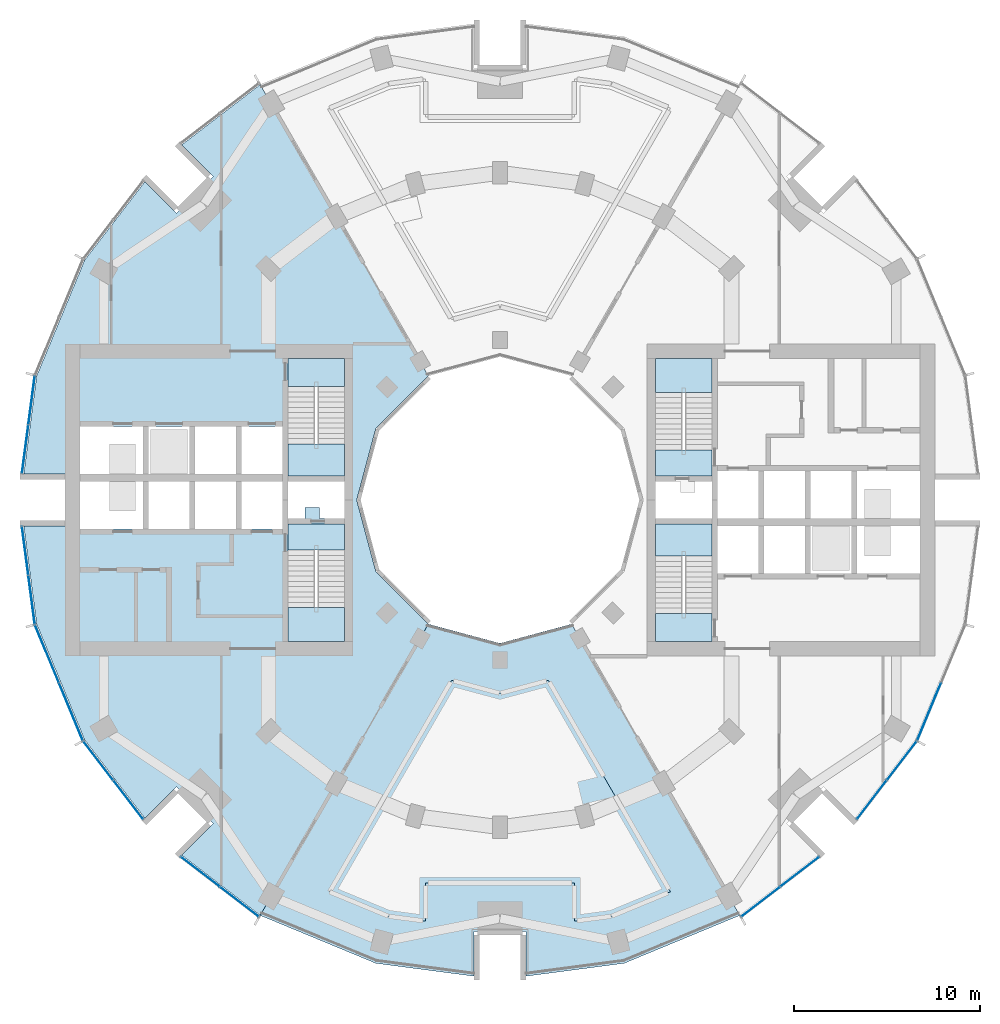
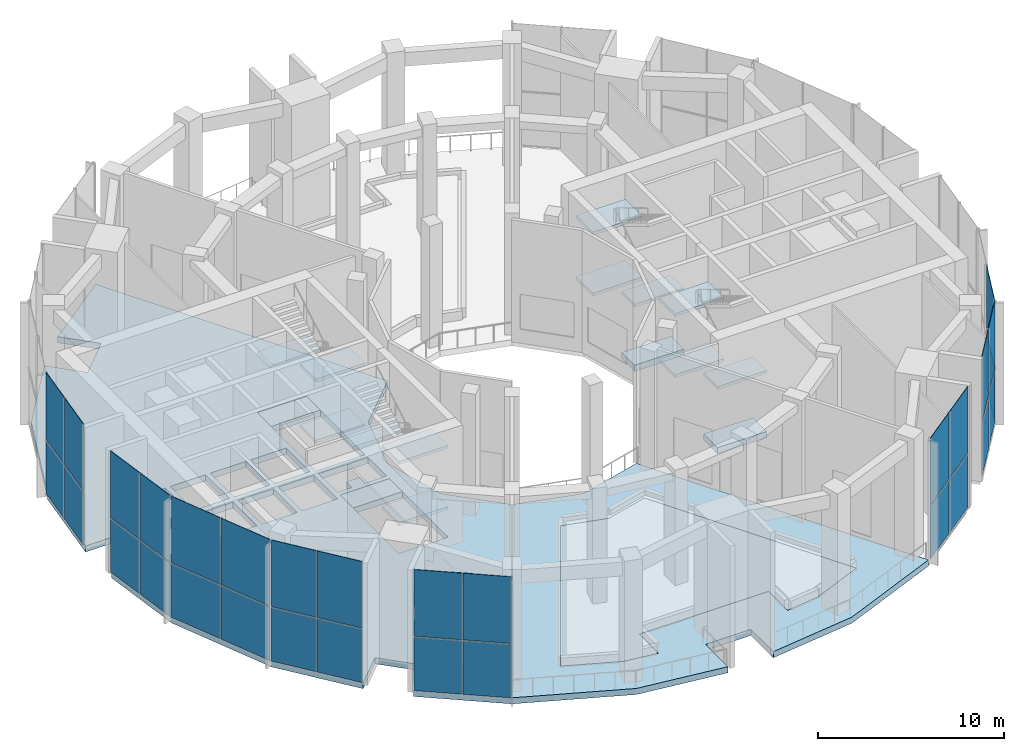
# One storey, part 9 of 18: 30 plates, 19 slabs, 12 elements without a shape of their own.
"""IFC4 building model written with IfcOpenShell, lengths in metres."""

import ifcopenshell
import ifcopenshell.guid

model = None  # the IFC model being written
_history = None  # IfcOwnerHistory: only IFC2X3 demands one
_inside = {}  # id of a spatial element -> (the spatial element, [elements in it])
_under = {}  # id of a project, library or spatial element -> (it, [spatial elements below it])
_declared = {}  # id of a project -> (the project, [libraries it declares])
_typed = {}  # id of a type object -> (the type object, [elements of that type])
_made_of = {}  # id of a material, layer set ... -> (it, [elements and type objects made of it])


def new_model(schema):
    """Start an empty IFC model of exactly this schema.

    Asked for "IFC4X3", IfcOpenShell would pick the latest addendum, in which some entities
    have other attributes; the version numbers below select the first issue.
    IFC2X3 requires an IfcOwnerHistory on every rooted entity: one is made here for all.
    """
    global model, _history
    if schema == "IFC4X3":
        model = ifcopenshell.file(schema_version=(4, 3, 0, 0))
    else:
        model = ifcopenshell.file(schema=schema)
    _inside.clear()
    _under.clear()
    _declared.clear()
    _typed.clear()
    _made_of.clear()
    _history = None
    if model.schema == "IFC2X3":
        org = make("IfcOrganization", Name="unknown")
        user = make(
            "IfcPersonAndOrganization",
            ThePerson=make("IfcPerson", FamilyName="unknown"),
            TheOrganization=org,
        )
        app = make(
            "IfcApplication",
            ApplicationDeveloper=org,
            Version="unknown",
            ApplicationFullName="unknown",
            ApplicationIdentifier="unknown",
        )
        _history = make(
            "IfcOwnerHistory",
            OwningUser=user,
            OwningApplication=app,
            ChangeAction="ADDED",
            CreationDate=0,
        )
    return model


def make(cls, **values):
    """One entity of the class cls with the attributes given. An attribute that is None is left unset."""
    return model.create_entity(
        cls, **{name: value for name, value in values.items() if value is not None}
    )


def rooted(cls, **values):
    """An entity with a GlobalId (a new one), such as an element, a storey or a relation."""
    return make(cls, GlobalId=ifcopenshell.guid.new(), OwnerHistory=_history, **values)


def si_unit(unit_type, name, prefix=None):
    """IfcSIUnit, for example si_unit("LENGTHUNIT", "METRE", prefix="MILLI")."""
    return make("IfcSIUnit", UnitType=unit_type, Prefix=prefix, Name=name)


def assignment(units):
    """IfcUnitAssignment: the units of a project."""
    return None if units is None else make("IfcUnitAssignment", Units=units)


def point(xyz):
    """IfcCartesianPoint."""
    return None if xyz is None else make("IfcCartesianPoint", Coordinates=xyz)


def direction(xyz):
    """IfcDirection."""
    return None if xyz is None else make("IfcDirection", DirectionRatios=xyz)


def frame(location, z_axis=None, x_axis=None):
    """IfcAxis2Placement3D, a coordinate frame: its origin and axes. An axis left out is left unset."""
    return make(
        "IfcAxis2Placement3D",
        Location=point(location),
        Axis=direction(z_axis),
        RefDirection=direction(x_axis),
    )


def frame_2d(location, x_axis=None):
    """IfcAxis2Placement2D, a coordinate frame in the plane: its origin and x axis."""
    return make(
        "IfcAxis2Placement2D", Location=point(location), RefDirection=direction(x_axis)
    )


def origin():
    """The frame at (0, 0, 0) with its axes left unset."""
    return frame((0.0, 0.0, 0.0))


def origin_2d():
    """The frame at (0, 0) in the plane with its x axis left unset."""
    return frame_2d((0.0, 0.0))


def place(relative_to, where):
    """IfcLocalPlacement: puts the frame where relative to a parent placement (None: the world)."""
    return make(
        "IfcLocalPlacement", PlacementRelTo=relative_to, RelativePlacement=where
    )


def context(
    kind, dimensions, precision=None, world=None, true_north=None, identifier=None
):
    """IfcGeometricRepresentationContext, for example the 3D "Model" context."""
    return make(
        "IfcGeometricRepresentationContext",
        ContextIdentifier=identifier,
        ContextType=kind,
        CoordinateSpaceDimension=dimensions,
        Precision=precision,
        WorldCoordinateSystem=world,
        TrueNorth=true_north,
    )


def subcontext(parent, identifier, kind, view, scale=None):
    """IfcGeometricRepresentationSubContext, for example "Body" below "Model"."""
    return make(
        "IfcGeometricRepresentationSubContext",
        ContextIdentifier=identifier,
        ContextType=kind,
        ParentContext=parent,
        TargetScale=scale,
        TargetView=view,
    )


def project(units=None, contexts=None):
    """IfcProject with its units and contexts."""
    return rooted(
        "IfcProject",
        Name="project",
        RepresentationContexts=contexts,
        UnitsInContext=assignment(units),
    )


def spatial(cls, under=None, at=None, **own):
    """A site, building, storey or space (cls), placed at a placement, below another one or the project."""
    s = rooted(cls, ObjectPlacement=at, **own)
    if under is not None:
        _under.setdefault(under.id(), (under, []))[1].append(s)
    return s


def polyline(points):
    """IfcPolyline through the points."""
    return make("IfcPolyline", Points=[point(p) for p in points])


def profile(cls, at=None, kind="AREA", **sizes):
    """A parametric profile (cls). Its sizes go by their IFC names, for example OverallWidth=200.0."""
    return make(cls, ProfileType=kind, Position=at, **sizes)


def rectangle(**sizes):
    """IfcRectangleProfileDef."""
    return profile("IfcRectangleProfileDef", **sizes)


def outline(outer, holes=None, kind="AREA"):
    """IfcArbitraryClosedProfileDef: a profile drawn as a closed curve; with holes, ...WithVoids."""
    if holes is None:
        return make("IfcArbitraryClosedProfileDef", ProfileType=kind, OuterCurve=outer)
    return make(
        "IfcArbitraryProfileDefWithVoids",
        ProfileType=kind,
        OuterCurve=outer,
        InnerCurves=holes,
    )


def extrude(swept, where, along, depth):
    """IfcExtrudedAreaSolid: the profile swept, set in the frame where, extruded along a direction by depth."""
    return make(
        "IfcExtrudedAreaSolid",
        SweptArea=swept,
        Position=where,
        ExtrudedDirection=direction(along),
        Depth=depth,
    )


def shape(context_of_items, identifier, shape_type, items):
    """IfcShapeRepresentation: the items that make up one representation, for example the "Body"."""
    return make(
        "IfcShapeRepresentation",
        ContextOfItems=context_of_items,
        RepresentationIdentifier=identifier,
        RepresentationType=shape_type,
        Items=items,
    )


def material(Name=None, Category=None):
    """IfcMaterial."""
    return make("IfcMaterial", Name=Name, Category=Category)


def layer(
    of_material, thickness, ventilated=None, Name=None, Category=None, Priority=None
):
    """IfcMaterialLayer: one layer of a wall or slab, of a material (None: an air gap)."""
    return make(
        "IfcMaterialLayer",
        Material=of_material,
        LayerThickness=thickness,
        IsVentilated=ventilated,
        Name=Name,
        Category=Category,
        Priority=Priority,
    )


def layer_set(layers, Name=None):
    """IfcMaterialLayerSet."""
    return make("IfcMaterialLayerSet", MaterialLayers=layers, LayerSetName=Name)


def made_of(thing, what):
    """Note that an element or type object is made of a material, layer set ...; save() writes the relation."""
    if what is not None:
        _made_of.setdefault(what.id(), (what, []))[1].append(thing)
    return thing


def type_object(cls, material=None, **own):
    """A type object (cls), such as IfcWallType, which elements share."""
    return made_of(rooted(cls, **own), material)


def element(
    cls,
    number,
    at=None,
    inside=None,
    cuts=None,
    type_object=None,
    material=None,
    context=None,
    identifier="Body",
    shape_type=None,
    held_by="IfcProductDefinitionShape",
    body=None,
    shapes=None,
    **own,
):
    """One element of the class cls, such as IfcWall. Its Tag is "e" and its number.

    at: its placement. inside: the storey or other place that contains it. cuts: it is an
    opening in that element (IfcRelVoidsElement). A single representation is given by context,
    identifier, shape_type and body (its items); several are given by shapes. held_by: the class
    of the entity that holds the representations. save() writes the other relations.
    """
    e = rooted(cls, Tag="e%d" % number, ObjectPlacement=at, **own)
    if body is not None:
        shapes = [shape(context, identifier, shape_type, body)]
    if shapes is not None:
        e.Representation = make(held_by, Representations=shapes)
    if inside is not None:
        _inside.setdefault(inside.id(), (inside, []))[1].append(e)
    if cuts is not None:
        rooted(
            "IfcRelVoidsElement", RelatingBuildingElement=cuts, RelatedOpeningElement=e
        )
    if type_object is not None:
        _typed.setdefault(type_object.id(), (type_object, []))[1].append(e)
    return made_of(e, material)


def aggregate(whole, parts):
    """IfcRelAggregates: a whole, such as a stair, and the parts it consists of."""
    return rooted("IfcRelAggregates", RelatingObject=whole, RelatedObjects=parts)


def save(model, path):
    """Write the relations noted so far, then the file.

    IfcRelAggregates (storeys below a building ...), IfcRelContainedInSpatialStructure (elements
    in a storey), IfcRelDefinesByType, IfcRelAssociatesMaterial and IfcRelDeclares: one each for
    every whole, place, type object, material and project.
    """
    for whole, parts in _under.values():
        aggregate(whole, parts)
    for where, things in _inside.values():
        rooted(
            "IfcRelContainedInSpatialStructure",
            RelatedElements=things,
            RelatingStructure=where,
        )
    for kind, things in _typed.values():
        rooted("IfcRelDefinesByType", RelatedObjects=things, RelatingType=kind)
    for what, things in _made_of.values():
        rooted("IfcRelAssociatesMaterial", RelatedObjects=things, RelatingMaterial=what)
    for by, libraries in _declared.values():
        rooted("IfcRelDeclares", RelatingContext=by, RelatedDefinitions=libraries)
    model.write(path)


model = new_model("IFC4")

# Units and contexts
model_context = context("Model", 3, precision=1e-05, world=origin(), true_north=direction((0.0, 1.0)))
body_context = subcontext(model_context, "Body", "Model", "MODEL_VIEW")
ifc_project = project(units=[si_unit("LENGTHUNIT", "METRE"), si_unit("AREAUNIT", "SQUARE_METRE"), si_unit("VOLUMEUNIT", "CUBIC_METRE"), si_unit("PLANEANGLEUNIT", "RADIAN"), si_unit("MASSUNIT", "GRAM", prefix="KILO")], contexts=[model_context])

# Site, building, storey
site_placement = place(None, origin())
site = spatial("IfcSite", under=ifc_project, at=site_placement, CompositionType="ELEMENT")
building_placement = place(site_placement, origin())
building = spatial("IfcBuilding", under=site, at=building_placement, Name="Torre Brocal", CompositionType="ELEMENT")
storey_placement = place(building_placement, frame((0.0, 0.0, 74.39990234375)))
storey = spatial("IfcBuildingStorey", under=building, at=storey_placement, Name="L17", CompositionType="ELEMENT", Elevation=74.39990234375)

# Curtain wall, plates
ifc_material_1 = material(Name="Aluminium and glass", Category="aluminium")
ifc_layer_1 = layer(ifc_material_1, 0.199951171875)
ifc_layer_set_1 = layer_set([ifc_layer_1], Name="Aluminium and glass")
curtain_wall_type = type_object("IfcCurtainWallType", Name="CW-4 CURTAIN WALL 8000 HIGH", PredefinedType="NOTDEFINED", material=ifc_layer_set_1)
curtain_wall_1_placement = place(storey_placement, origin())
curtain_wall_1 = element("IfcCurtainWall", 1, at=curtain_wall_1_placement, inside=storey, type_object=curtain_wall_type, Name="CW-4 RUN 12", PredefinedType="NOTDEFINED")
ifc_material_2 = material(Name="Glass, dark tinted laminated", Category="glass")
ifc_layer_2 = layer(ifc_material_2, 0.030029296875)
ifc_layer_set_2 = layer_set([ifc_layer_2], Name="Glass, dark tinted laminated")
plate_type = type_object("IfcPlateType", Name="CW-4 GLASS PANEL 30", PredefinedType="CURTAIN_PANEL", material=ifc_layer_set_2)
plate_1_placement = place(storey_placement, frame((54.80712890625, 80.364990234375, 0.070068359375), z_axis=(0.0, 0.0, 1.0), x_axis=(-0.13052619222, -0.991444861374, 0.0)))
plate_1 = element("IfcPlate", 2, at=plate_1_placement, type_object=plate_type, Name="CW4-1 panel 1.1", PredefinedType="CURTAIN_PANEL", context=body_context, shape_type="SweptSolid", body=[
    extrude(rectangle(XDim=2.599365234375, YDim=0.030029296875, at=origin_2d()), origin(), (0.0, 0.0, 1.0), 3.4951171875),
])
plate_2_placement = place(storey_placement, frame((54.80712890625, 80.364990234375, 3.63525390625), z_axis=(0.0, 0.0, 1.0), x_axis=(-0.13052619222, -0.991444861374, 0.0)))
plate_2 = element("IfcPlate", 3, at=plate_2_placement, type_object=plate_type, Name="CW4-1 panel 1.2", PredefinedType="CURTAIN_PANEL", context=body_context, shape_type="SweptSolid", body=[
    extrude(rectangle(XDim=2.599365234375, YDim=0.030029296875, at=origin_2d()), origin(), (0.0, 0.0, 1.0), 4.364990234375),
])
plate_3_placement = place(storey_placement, frame((54.46142578125, 77.73828125, 0.070068359375), z_axis=(0.0, 0.0, 1.0), x_axis=(-0.13052619222, -0.991444861374, 0.0)))
plate_3 = element("IfcPlate", 4, at=plate_3_placement, type_object=plate_type, Name="CW4-1 panel 2.1", PredefinedType="CURTAIN_PANEL", context=body_context, shape_type="SweptSolid", body=[
    extrude(rectangle(XDim=2.599365234375, YDim=0.030029296875, at=origin_2d()), origin(), (0.0, 0.0, 1.0), 3.4951171875),
])
plate_4_placement = place(storey_placement, frame((54.46142578125, 77.73828125, 3.63525390625), z_axis=(0.0, 0.0, 1.0), x_axis=(-0.13052619222, -0.991444861374, 0.0)))
plate_4 = element("IfcPlate", 5, at=plate_4_placement, type_object=plate_type, Name="CW4-1 panel 2.2", PredefinedType="CURTAIN_PANEL", context=body_context, shape_type="SweptSolid", body=[
    extrude(rectangle(XDim=2.599365234375, YDim=0.030029296875, at=origin_2d()), origin(), (0.0, 0.0, 1.0), 4.364990234375),
])
aggregate(curtain_wall_1, [plate_1, plate_2, plate_3, plate_4])

curtain_wall_2_placement = place(storey_placement, origin())
curtain_wall_2 = element("IfcCurtainWall", 6, at=curtain_wall_2_placement, inside=storey, type_object=curtain_wall_type, Name="CW-4 RUN 13", PredefinedType="NOTDEFINED")
plate_5_placement = place(storey_placement, frame((54.46142578125, 72.26171875, 0.070068359375), z_axis=(0.0, 0.0, 1.0), x_axis=(0.13052619222, -0.991444861374, 0.0)))
plate_5 = element("IfcPlate", 7, at=plate_5_placement, type_object=plate_type, Name="CW4-1 panel 1.1", PredefinedType="CURTAIN_PANEL", context=body_context, shape_type="SweptSolid", body=[
    extrude(rectangle(XDim=2.599365234375, YDim=0.030029296875, at=origin_2d()), origin(), (0.0, 0.0, 1.0), 3.4951171875),
])
plate_6_placement = place(storey_placement, frame((54.46142578125, 72.26171875, 3.63525390625), z_axis=(0.0, 0.0, 1.0), x_axis=(0.13052619222, -0.991444861374, 0.0)))
plate_6 = element("IfcPlate", 8, at=plate_6_placement, type_object=plate_type, Name="CW4-1 panel 1.2", PredefinedType="CURTAIN_PANEL", context=body_context, shape_type="SweptSolid", body=[
    extrude(rectangle(XDim=2.599365234375, YDim=0.030029296875, at=origin_2d()), origin(), (0.0, 0.0, 1.0), 4.364990234375),
])
plate_7_placement = place(storey_placement, frame((54.80712890625, 69.635009765625, 0.070068359375), z_axis=(0.0, 0.0, 1.0), x_axis=(0.13052619222, -0.991444861374, 0.0)))
plate_7 = element("IfcPlate", 9, at=plate_7_placement, type_object=plate_type, Name="CW4-1 panel 2.1", PredefinedType="CURTAIN_PANEL", context=body_context, shape_type="SweptSolid", body=[
    extrude(rectangle(XDim=2.599365234375, YDim=0.030029296875, at=origin_2d()), origin(), (0.0, 0.0, 1.0), 3.4951171875),
])
plate_8_placement = place(storey_placement, frame((54.80712890625, 69.635009765625, 3.63525390625), z_axis=(0.0, 0.0, 1.0), x_axis=(0.13052619222, -0.991444861374, 0.0)))
plate_8 = element("IfcPlate", 10, at=plate_8_placement, type_object=plate_type, Name="CW4-1 panel 2.2", PredefinedType="CURTAIN_PANEL", context=body_context, shape_type="SweptSolid", body=[
    extrude(rectangle(XDim=2.599365234375, YDim=0.030029296875, at=origin_2d()), origin(), (0.0, 0.0, 1.0), 4.364990234375),
])
aggregate(curtain_wall_2, [plate_5, plate_6, plate_7, plate_8])

curtain_wall_3_placement = place(storey_placement, origin())
curtain_wall_3 = element("IfcCurtainWall", 11, at=curtain_wall_3_placement, inside=storey, type_object=curtain_wall_type, Name="CW-4 RUN 14", PredefinedType="NOTDEFINED")
plate_9_placement = place(storey_placement, frame((55.635009765625, 66.7236328125, 0.070068359375), z_axis=(0.0, 0.0, 1.0), x_axis=(0.382683432333, -0.923879532525, 0.0)))
plate_9 = element("IfcPlate", 12, at=plate_9_placement, type_object=plate_type, Name="CW4-1 panel 1.1", PredefinedType="CURTAIN_PANEL", context=body_context, shape_type="SweptSolid", body=[
    extrude(rectangle(XDim=3.305419921875, YDim=0.030029296875, at=origin_2d()), origin(), (0.0, 0.0, 1.0), 3.4951171875),
])
plate_10_placement = place(storey_placement, frame((55.635009765625, 66.7236328125, 3.63525390625), z_axis=(0.0, 0.0, 1.0), x_axis=(0.382683432333, -0.923879532525, 0.0)))
plate_10 = element("IfcPlate", 13, at=plate_10_placement, type_object=plate_type, Name="CW4-1 panel 1.2", PredefinedType="CURTAIN_PANEL", context=body_context, shape_type="SweptSolid", body=[
    extrude(rectangle(XDim=3.305419921875, YDim=0.030029296875, at=origin_2d()), origin(), (0.0, 0.0, 1.0), 4.364990234375),
])
plate_11_placement = place(storey_placement, frame((56.919189453125, 63.62353515625, 0.070068359375), z_axis=(0.0, 0.0, 1.0), x_axis=(0.382683432333, -0.923879532525, 0.0)))
plate_11 = element("IfcPlate", 14, at=plate_11_placement, type_object=plate_type, Name="CW4-1 panel 2.1", PredefinedType="CURTAIN_PANEL", context=body_context, shape_type="SweptSolid", body=[
    extrude(rectangle(XDim=3.305419921875, YDim=0.030029296875, at=origin_2d()), origin(), (0.0, 0.0, 1.0), 3.4951171875),
])
plate_12_placement = place(storey_placement, frame((56.919189453125, 63.62353515625, 3.63525390625), z_axis=(0.0, 0.0, 1.0), x_axis=(0.382683432333, -0.923879532525, 0.0)))
plate_12 = element("IfcPlate", 15, at=plate_12_placement, type_object=plate_type, Name="CW4-1 panel 2.2", PredefinedType="CURTAIN_PANEL", context=body_context, shape_type="SweptSolid", body=[
    extrude(rectangle(XDim=3.305419921875, YDim=0.030029296875, at=origin_2d()), origin(), (0.0, 0.0, 1.0), 4.364990234375),
])
aggregate(curtain_wall_3, [plate_9, plate_10, plate_11, plate_12])

curtain_wall_4_placement = place(storey_placement, origin())
curtain_wall_4 = element("IfcCurtainWall", 16, at=curtain_wall_4_placement, inside=storey, type_object=curtain_wall_type, Name="CW-4 RUN 15", PredefinedType="NOTDEFINED")
plate_13_placement = place(storey_placement, frame((58.392333984375, 60.9794921875, 0.070068359375), z_axis=(0.0, 0.0, 1.0), x_axis=(0.60876142905, -0.793353340259, 0.0)))
plate_13 = element("IfcPlate", 17, at=plate_13_placement, type_object=plate_type, Name="CW4-1 panel 1.1", PredefinedType="CURTAIN_PANEL", context=body_context, shape_type="SweptSolid", body=[
    extrude(rectangle(XDim=2.599365234375, YDim=0.030029296875, at=origin_2d()), origin(), (0.0, 0.0, 1.0), 3.4951171875),
])
plate_14_placement = place(storey_placement, frame((58.392333984375, 60.9794921875, 3.63525390625), z_axis=(0.0, 0.0, 1.0), x_axis=(0.60876142905, -0.793353340259, 0.0)))
plate_14 = element("IfcPlate", 18, at=plate_14_placement, type_object=plate_type, Name="CW4-1 panel 1.2", PredefinedType="CURTAIN_PANEL", context=body_context, shape_type="SweptSolid", body=[
    extrude(rectangle(XDim=2.599365234375, YDim=0.030029296875, at=origin_2d()), origin(), (0.0, 0.0, 1.0), 4.364990234375),
])
plate_15_placement = place(storey_placement, frame((60.00537109375, 58.877685546875, 0.070068359375), z_axis=(0.0, 0.0, 1.0), x_axis=(0.60876142905, -0.793353340259, 0.0)))
plate_15 = element("IfcPlate", 19, at=plate_15_placement, type_object=plate_type, Name="CW4-1 panel 2.1", PredefinedType="CURTAIN_PANEL", context=body_context, shape_type="SweptSolid", body=[
    extrude(rectangle(XDim=2.599365234375, YDim=0.030029296875, at=origin_2d()), origin(), (0.0, 0.0, 1.0), 3.4951171875),
])
plate_16_placement = place(storey_placement, frame((60.00537109375, 58.877685546875, 3.63525390625), z_axis=(0.0, 0.0, 1.0), x_axis=(0.60876142905, -0.793353340259, 0.0)))
plate_16 = element("IfcPlate", 20, at=plate_16_placement, type_object=plate_type, Name="CW4-1 panel 2.2", PredefinedType="CURTAIN_PANEL", context=body_context, shape_type="SweptSolid", body=[
    extrude(rectangle(XDim=2.599365234375, YDim=0.030029296875, at=origin_2d()), origin(), (0.0, 0.0, 1.0), 4.364990234375),
])
aggregate(curtain_wall_4, [plate_13, plate_14, plate_15, plate_16])

curtain_wall_5_placement = place(storey_placement, origin())
curtain_wall_5 = element("IfcCurtainWall", 21, at=curtain_wall_5_placement, inside=storey, type_object=curtain_wall_type, Name="CW-4 RUN 16", PredefinedType="NOTDEFINED")
plate_17_placement = place(storey_placement, frame((63.877685546875, 55.00537109375, 0.070068359375), z_axis=(0.0, 0.0, 1.0), x_axis=(0.793353340259, -0.60876142905, 0.0)))
plate_17 = element("IfcPlate", 22, at=plate_17_placement, type_object=plate_type, Name="CW4-1 panel 1.1", PredefinedType="CURTAIN_PANEL", context=body_context, shape_type="SweptSolid", body=[
    extrude(rectangle(XDim=2.599365234375, YDim=0.030029296875, at=origin_2d()), origin(), (0.0, 0.0, 1.0), 3.4951171875),
])
plate_18_placement = place(storey_placement, frame((63.877685546875, 55.00537109375, 3.63525390625), z_axis=(0.0, 0.0, 1.0), x_axis=(0.793353340259, -0.60876142905, 0.0)))
plate_18 = element("IfcPlate", 23, at=plate_18_placement, type_object=plate_type, Name="CW4-1 panel 1.2", PredefinedType="CURTAIN_PANEL", context=body_context, shape_type="SweptSolid", body=[
    extrude(rectangle(XDim=2.599365234375, YDim=0.030029296875, at=origin_2d()), origin(), (0.0, 0.0, 1.0), 4.364990234375),
])
plate_19_placement = place(storey_placement, frame((65.9794921875, 53.392333984375, 0.070068359375), z_axis=(0.0, 0.0, 1.0), x_axis=(0.793353340259, -0.60876142905, 0.0)))
plate_19 = element("IfcPlate", 24, at=plate_19_placement, type_object=plate_type, Name="CW4-1 panel 2.1", PredefinedType="CURTAIN_PANEL", context=body_context, shape_type="SweptSolid", body=[
    extrude(rectangle(XDim=2.599365234375, YDim=0.030029296875, at=origin_2d()), origin(), (0.0, 0.0, 1.0), 3.4951171875),
])
plate_20_placement = place(storey_placement, frame((65.9794921875, 53.392333984375, 3.63525390625), z_axis=(0.0, 0.0, 1.0), x_axis=(0.793353340259, -0.60876142905, 0.0)))
plate_20 = element("IfcPlate", 25, at=plate_20_placement, type_object=plate_type, Name="CW4-1 panel 2.2", PredefinedType="CURTAIN_PANEL", context=body_context, shape_type="SweptSolid", body=[
    extrude(rectangle(XDim=2.599365234375, YDim=0.030029296875, at=origin_2d()), origin(), (0.0, 0.0, 1.0), 4.364990234375),
])
aggregate(curtain_wall_5, [plate_17, plate_18, plate_19, plate_20])

curtain_wall_6_placement = place(storey_placement, origin())
curtain_wall_6 = element("IfcCurtainWall", 26, at=curtain_wall_6_placement, inside=storey, type_object=curtain_wall_type, Name="CW-4 RUN 21", PredefinedType="NOTDEFINED")
plate_21_placement = place(storey_placement, frame((94.0205078125, 53.392333984375, 0.070068359375), z_axis=(0.0, 0.0, 1.0), x_axis=(0.793353340259, 0.60876142905, 0.0)))
plate_21 = element("IfcPlate", 27, at=plate_21_placement, type_object=plate_type, Name="CW4-1 panel 1.1", PredefinedType="CURTAIN_PANEL", context=body_context, shape_type="SweptSolid", body=[
    extrude(rectangle(XDim=2.599365234375, YDim=0.030029296875, at=origin_2d()), origin(), (0.0, 0.0, 1.0), 3.4951171875),
])
plate_22_placement = place(storey_placement, frame((94.0205078125, 53.392333984375, 3.63525390625), z_axis=(0.0, 0.0, 1.0), x_axis=(0.793353340259, 0.60876142905, 0.0)))
plate_22 = element("IfcPlate", 28, at=plate_22_placement, type_object=plate_type, Name="CW4-1 panel 1.2", PredefinedType="CURTAIN_PANEL", context=body_context, shape_type="SweptSolid", body=[
    extrude(rectangle(XDim=2.599365234375, YDim=0.030029296875, at=origin_2d()), origin(), (0.0, 0.0, 1.0), 4.364990234375),
])
plate_23_placement = place(storey_placement, frame((96.122314453125, 55.00537109375, 0.070068359375), z_axis=(0.0, 0.0, 1.0), x_axis=(0.793353340259, 0.60876142905, 0.0)))
plate_23 = element("IfcPlate", 29, at=plate_23_placement, type_object=plate_type, Name="CW4-1 panel 2.1", PredefinedType="CURTAIN_PANEL", context=body_context, shape_type="SweptSolid", body=[
    extrude(rectangle(XDim=2.599365234375, YDim=0.030029296875, at=origin_2d()), origin(), (0.0, 0.0, 1.0), 3.4951171875),
])
plate_24_placement = place(storey_placement, frame((96.122314453125, 55.00537109375, 3.63525390625), z_axis=(0.0, 0.0, 1.0), x_axis=(0.793353340259, 0.60876142905, 0.0)))
plate_24 = element("IfcPlate", 30, at=plate_24_placement, type_object=plate_type, Name="CW4-1 panel 2.2", PredefinedType="CURTAIN_PANEL", context=body_context, shape_type="SweptSolid", body=[
    extrude(rectangle(XDim=2.599365234375, YDim=0.030029296875, at=origin_2d()), origin(), (0.0, 0.0, 1.0), 4.364990234375),
])
aggregate(curtain_wall_6, [plate_21, plate_22, plate_23, plate_24])

curtain_wall_7_placement = place(storey_placement, origin())
curtain_wall_7 = element("IfcCurtainWall", 31, at=curtain_wall_7_placement, inside=storey, type_object=curtain_wall_type, Name="CW-4 RUN 22", PredefinedType="NOTDEFINED")
plate_25_placement = place(storey_placement, frame((99.99462890625, 58.877685546875, 0.070068359375), z_axis=(0.0, 0.0, 1.0), x_axis=(0.60876142905, 0.793353340259, 0.0)))
plate_25 = element("IfcPlate", 32, at=plate_25_placement, type_object=plate_type, Name="CW4-1 panel 1.1", PredefinedType="CURTAIN_PANEL", context=body_context, shape_type="SweptSolid", body=[
    extrude(rectangle(XDim=2.599365234375, YDim=0.030029296875, at=origin_2d()), origin(), (0.0, 0.0, 1.0), 3.4951171875),
])
plate_26_placement = place(storey_placement, frame((99.99462890625, 58.877685546875, 3.63525390625), z_axis=(0.0, 0.0, 1.0), x_axis=(0.60876142905, 0.793353340259, 0.0)))
plate_26 = element("IfcPlate", 33, at=plate_26_placement, type_object=plate_type, Name="CW4-1 panel 1.2", PredefinedType="CURTAIN_PANEL", context=body_context, shape_type="SweptSolid", body=[
    extrude(rectangle(XDim=2.599365234375, YDim=0.030029296875, at=origin_2d()), origin(), (0.0, 0.0, 1.0), 4.364990234375),
])
plate_27_placement = place(storey_placement, frame((101.607666015625, 60.9794921875, 0.070068359375), z_axis=(0.0, 0.0, 1.0), x_axis=(0.60876142905, 0.793353340259, 0.0)))
plate_27 = element("IfcPlate", 34, at=plate_27_placement, type_object=plate_type, Name="CW4-1 panel 2.1", PredefinedType="CURTAIN_PANEL", context=body_context, shape_type="SweptSolid", body=[
    extrude(rectangle(XDim=2.599365234375, YDim=0.030029296875, at=origin_2d()), origin(), (0.0, 0.0, 1.0), 3.4951171875),
])
plate_28_placement = place(storey_placement, frame((101.607666015625, 60.9794921875, 3.63525390625), z_axis=(0.0, 0.0, 1.0), x_axis=(0.60876142905, 0.793353340259, 0.0)))
plate_28 = element("IfcPlate", 35, at=plate_28_placement, type_object=plate_type, Name="CW4-1 panel 2.2", PredefinedType="CURTAIN_PANEL", context=body_context, shape_type="SweptSolid", body=[
    extrude(rectangle(XDim=2.599365234375, YDim=0.030029296875, at=origin_2d()), origin(), (0.0, 0.0, 1.0), 4.364990234375),
])
aggregate(curtain_wall_7, [plate_25, plate_26, plate_27, plate_28])

curtain_wall_8_placement = place(storey_placement, origin())
curtain_wall_8 = element("IfcCurtainWall", 36, at=curtain_wall_8_placement, inside=storey, type_object=curtain_wall_type, Name="CW-4 RUN 23", PredefinedType="NOTDEFINED")
plate_29_placement = place(storey_placement, frame((103.080810546875, 63.62353515625, 0.070068359375), z_axis=(0.0, 0.0, 1.0), x_axis=(0.382683432333, 0.923879532525, 0.0)))
plate_29 = element("IfcPlate", 37, at=plate_29_placement, type_object=plate_type, Name="CW4-1 panel 1.1", PredefinedType="CURTAIN_PANEL", context=body_context, shape_type="SweptSolid", body=[
    extrude(rectangle(XDim=3.305419921875, YDim=0.030029296875, at=origin_2d()), origin(), (0.0, 0.0, 1.0), 3.4951171875),
])
plate_30_placement = place(storey_placement, frame((103.080810546875, 63.62353515625, 3.63525390625), z_axis=(0.0, 0.0, 1.0), x_axis=(0.382683432333, 0.923879532525, 0.0)))
plate_30 = element("IfcPlate", 38, at=plate_30_placement, type_object=plate_type, Name="CW4-1 panel 1.2", PredefinedType="CURTAIN_PANEL", context=body_context, shape_type="SweptSolid", body=[
    extrude(rectangle(XDim=3.305419921875, YDim=0.030029296875, at=origin_2d()), origin(), (0.0, 0.0, 1.0), 4.364990234375),
])
aggregate(curtain_wall_8, [plate_29, plate_30])

# Stair, slab
ifc_material_3 = material(Name="Concrete C50", Category="concrete")
stair_type = type_object("IfcStairType", Name="EXIT STAIR", PredefinedType="HALF_TURN_STAIR", material=ifc_material_3)
stair_1_placement = place(storey_placement, origin())
stair_1 = element("IfcStair", 39, at=stair_1_placement, inside=storey, type_object=stair_type, Name="EXIT STAIR ST1", PredefinedType="HALF_TURN_STAIR")
ifc_material_4 = material(Name="Concrete C50", Category="concrete")
ifc_layer_3 = layer(ifc_material_4, 0.39990234375)
ifc_layer_set_3 = layer_set([ifc_layer_3], Name="Concrete C50")
slab_type_1 = type_object("IfcSlabType", Name="FLOOR LANDING 400", PredefinedType="LANDING", material=ifc_layer_set_3)
slab_1_placement = place(storey_placement, frame((0.0, 0.0, -0.39990234375)))
slab_1 = element("IfcSlab", 40, at=slab_1_placement, type_object=slab_type_1, Name="ST1 landing 1", PredefinedType="LANDING", context=body_context, shape_type="SweptSolid", body=[
    extrude(outline(polyline([(88.35009765625, 76.300048828125), (91.39990234375, 76.300048828125), (91.39990234375, 77.699951171875), (88.35009765625, 77.699951171875), (88.35009765625, 76.300048828125)])), origin(), (0.0, 0.0, 1.0), 0.39990234375),
])

stair_2_placement = place(storey_placement, origin())
stair_2 = element("IfcStair", 41, at=stair_2_placement, inside=storey, type_object=stair_type, Name="EXIT STAIR ST2", PredefinedType="HALF_TURN_STAIR")
slab_2_placement = place(storey_placement, frame((0.0, 0.0, -0.39990234375)))
slab_2 = element("IfcSlab", 42, at=slab_2_placement, type_object=slab_type_1, Name="ST2 landing 1", PredefinedType="LANDING", context=body_context, shape_type="SweptSolid", body=[
    extrude(outline(polyline([(88.35009765625, 67.39990234375), (91.39990234375, 67.39990234375), (91.39990234375, 68.89990234375), (88.35009765625, 68.89990234375), (88.35009765625, 67.39990234375)])), origin(), (0.0, 0.0, 1.0), 0.39990234375),
])

stair_3_placement = place(storey_placement, origin())
stair_3 = element("IfcStair", 43, at=stair_3_placement, inside=storey, type_object=stair_type, Name="EXIT STAIR ST3", PredefinedType="HALF_TURN_STAIR")
slab_3_placement = place(storey_placement, frame((0.0, 0.0, -0.39990234375)))
slab_3 = element("IfcSlab", 44, at=slab_3_placement, type_object=slab_type_1, Name="ST3 landing 1", PredefinedType="LANDING", context=body_context, shape_type="SweptSolid", body=[
    extrude(outline(polyline([(71.64990234375, 73.699951171875), (68.60009765625, 73.699951171875), (68.60009765625, 72.300048828125), (71.64990234375, 72.300048828125), (71.64990234375, 73.699951171875)])), origin(), (0.0, 0.0, 1.0), 0.39990234375),
])

stair_4_placement = place(storey_placement, origin())
stair_4 = element("IfcStair", 45, at=stair_4_placement, inside=storey, type_object=stair_type, Name="EXIT STAIR ST4", PredefinedType="HALF_TURN_STAIR")
slab_4_placement = place(storey_placement, frame((0.0, 0.0, -0.39990234375)))
slab_4 = element("IfcSlab", 46, at=slab_4_placement, type_object=slab_type_1, Name="ST4 landing 1", PredefinedType="LANDING", context=body_context, shape_type="SweptSolid", body=[
    extrude(outline(polyline([(71.64990234375, 82.60009765625), (68.60009765625, 82.60009765625), (68.60009765625, 81.10009765625), (71.64990234375, 81.10009765625), (71.64990234375, 82.60009765625)])), origin(), (0.0, 0.0, 1.0), 0.39990234375),
])

# Slab
ifc_material_5 = material(Name="Concrete C45", Category="concrete")
ifc_layer_4 = layer(ifc_material_5, 0.39990234375)
ifc_layer_set_4 = layer_set([ifc_layer_4], Name="Concrete C45")
slab_type_2 = type_object("IfcSlabType", Name="GREEN ROOF PLANTING BED SLAB 400 C45", PredefinedType="ROOF", material=ifc_layer_set_4)
slab_5_placement = place(storey_placement, frame((0.0, 0.0, -0.39990234375)))
element("IfcSlab", 47, at=slab_5_placement, inside=storey, type_object=slab_type_2, Name="Slab ST-10", PredefinedType="ROOF", context=body_context, shape_type="SweptSolid", body=[
    extrude(outline(polyline([(74.001708984375, 52.61376953125), (70.8349609375, 53.925537109375), (77.400634765625, 65.2978515625), (80.0, 64.601318359375), (82.599365234375, 65.2978515625), (89.1650390625, 53.925537109375), (85.998291015625, 52.61376953125), (84.0, 52.350830078125), (84.0, 54.39990234375), (76.0, 54.39990234375), (76.0, 52.350830078125), (74.001708984375, 52.61376953125)])), origin(), (0.0, 0.0, 1.0), 0.39990234375),
])

ifc_material_6 = material(Name="Concrete C50", Category="concrete")
ifc_layer_5 = layer(ifc_material_6, 0.199951171875)
ifc_layer_set_5 = layer_set([ifc_layer_5], Name="Concrete C50")
slab_type_3 = type_object("IfcSlabType", Name="MID LANDING +2000", PredefinedType="LANDING", material=ifc_layer_set_5)
slab_6_placement = place(storey_placement, frame((0.0, 0.0, 1.800048828125)))
slab_6 = element("IfcSlab", 48, at=slab_6_placement, type_object=slab_type_3, Name="ST1 landing 2", PredefinedType="LANDING", context=body_context, shape_type="SweptSolid", body=[
    extrude(outline(polyline([(88.35009765625, 80.780029296875), (91.39990234375, 80.780029296875), (91.39990234375, 82.60009765625), (88.35009765625, 82.60009765625), (88.35009765625, 80.780029296875)])), origin(), (0.0, 0.0, 1.0), 0.199951171875),
])

slab_7_placement = place(storey_placement, frame((0.0, 0.0, 1.800048828125)))
slab_7 = element("IfcSlab", 49, at=slab_7_placement, type_object=slab_type_3, Name="ST2 landing 2", PredefinedType="LANDING", context=body_context, shape_type="SweptSolid", body=[
    extrude(outline(polyline([(88.35009765625, 71.97998046875), (91.39990234375, 71.97998046875), (91.39990234375, 73.699951171875), (88.35009765625, 73.699951171875), (88.35009765625, 71.97998046875)])), origin(), (0.0, 0.0, 1.0), 0.199951171875),
])

slab_8_placement = place(storey_placement, frame((0.0, 0.0, 1.800048828125)))
slab_8 = element("IfcSlab", 50, at=slab_8_placement, type_object=slab_type_3, Name="ST3 landing 2", PredefinedType="LANDING", context=body_context, shape_type="SweptSolid", body=[
    extrude(outline(polyline([(71.64990234375, 69.219970703125), (68.60009765625, 69.219970703125), (68.60009765625, 67.39990234375), (71.64990234375, 67.39990234375), (71.64990234375, 69.219970703125)])), origin(), (0.0, 0.0, 1.0), 0.199951171875),
])

slab_9_placement = place(storey_placement, frame((0.0, 0.0, 1.800048828125)))
slab_9 = element("IfcSlab", 51, at=slab_9_placement, type_object=slab_type_3, Name="ST4 landing 2", PredefinedType="LANDING", context=body_context, shape_type="SweptSolid", body=[
    extrude(outline(polyline([(71.64990234375, 78.02001953125), (68.60009765625, 78.02001953125), (68.60009765625, 76.300048828125), (71.64990234375, 76.300048828125), (71.64990234375, 78.02001953125)])), origin(), (0.0, 0.0, 1.0), 0.199951171875),
])

ifc_material_7 = material(Name="Concrete C50", Category="concrete")
ifc_layer_6 = layer(ifc_material_7, 0.199951171875)
ifc_layer_set_6 = layer_set([ifc_layer_6], Name="Concrete C50")
slab_type_4 = type_object("IfcSlabType", Name="MID LANDING +4000", PredefinedType="LANDING", material=ifc_layer_set_6)
slab_10_placement = place(storey_placement, frame((0.0, 0.0, 3.800048828125)))
slab_10 = element("IfcSlab", 52, at=slab_10_placement, type_object=slab_type_4, Name="ST1 landing 3", PredefinedType="LANDING", context=body_context, shape_type="SweptSolid", body=[
    extrude(outline(polyline([(88.35009765625, 76.300048828125), (91.39990234375, 76.300048828125), (91.39990234375, 77.699951171875), (88.35009765625, 77.699951171875), (88.35009765625, 76.300048828125)])), origin(), (0.0, 0.0, 1.0), 0.199951171875),
])

slab_11_placement = place(storey_placement, frame((0.0, 0.0, 3.800048828125)))
slab_11 = element("IfcSlab", 53, at=slab_11_placement, type_object=slab_type_4, Name="ST2 landing 3", PredefinedType="LANDING", context=body_context, shape_type="SweptSolid", body=[
    extrude(outline(polyline([(88.35009765625, 67.39990234375), (91.39990234375, 67.39990234375), (91.39990234375, 68.89990234375), (88.35009765625, 68.89990234375), (88.35009765625, 67.39990234375)])), origin(), (0.0, 0.0, 1.0), 0.199951171875),
])

slab_12_placement = place(storey_placement, frame((0.0, 0.0, 3.800048828125)))
slab_12 = element("IfcSlab", 54, at=slab_12_placement, type_object=slab_type_4, Name="ST3 landing 3", PredefinedType="LANDING", context=body_context, shape_type="SweptSolid", body=[
    extrude(outline(polyline([(71.64990234375, 73.699951171875), (68.60009765625, 73.699951171875), (68.60009765625, 72.300048828125), (71.64990234375, 72.300048828125), (71.64990234375, 73.699951171875)])), origin(), (0.0, 0.0, 1.0), 0.199951171875),
])

slab_13_placement = place(storey_placement, frame((0.0, 0.0, 3.800048828125)))
slab_13 = element("IfcSlab", 55, at=slab_13_placement, type_object=slab_type_4, Name="ST4 landing 3", PredefinedType="LANDING", context=body_context, shape_type="SweptSolid", body=[
    extrude(outline(polyline([(71.64990234375, 82.60009765625), (68.60009765625, 82.60009765625), (68.60009765625, 81.10009765625), (71.64990234375, 81.10009765625), (71.64990234375, 82.60009765625)])), origin(), (0.0, 0.0, 1.0), 0.199951171875),
])

ifc_material_8 = material(Name="Concrete C50", Category="concrete")
ifc_layer_7 = layer(ifc_material_8, 0.199951171875)
ifc_layer_set_7 = layer_set([ifc_layer_7], Name="Concrete C50")
slab_type_5 = type_object("IfcSlabType", Name="MID LANDING +6000", PredefinedType="LANDING", material=ifc_layer_set_7)
slab_14_placement = place(storey_placement, frame((0.0, 0.0, 5.800048828125)))
slab_14 = element("IfcSlab", 56, at=slab_14_placement, type_object=slab_type_5, Name="ST1 landing 4", PredefinedType="LANDING", context=body_context, shape_type="SweptSolid", body=[
    extrude(outline(polyline([(88.35009765625, 80.780029296875), (91.39990234375, 80.780029296875), (91.39990234375, 82.60009765625), (88.35009765625, 82.60009765625), (88.35009765625, 80.780029296875)])), origin(), (0.0, 0.0, 1.0), 0.199951171875),
])

aggregate(stair_1, [slab_1, slab_6, slab_10, slab_14])

slab_15_placement = place(storey_placement, frame((0.0, 0.0, 5.800048828125)))
slab_15 = element("IfcSlab", 57, at=slab_15_placement, type_object=slab_type_5, Name="ST2 landing 4", PredefinedType="LANDING", context=body_context, shape_type="SweptSolid", body=[
    extrude(outline(polyline([(88.35009765625, 71.97998046875), (91.39990234375, 71.97998046875), (91.39990234375, 73.699951171875), (88.35009765625, 73.699951171875), (88.35009765625, 71.97998046875)])), origin(), (0.0, 0.0, 1.0), 0.199951171875),
])

aggregate(stair_2, [slab_2, slab_7, slab_11, slab_15])

slab_16_placement = place(storey_placement, frame((0.0, 0.0, 5.800048828125)))
slab_16 = element("IfcSlab", 58, at=slab_16_placement, type_object=slab_type_5, Name="ST3 landing 4", PredefinedType="LANDING", context=body_context, shape_type="SweptSolid", body=[
    extrude(outline(polyline([(71.64990234375, 69.219970703125), (68.60009765625, 69.219970703125), (68.60009765625, 67.39990234375), (71.64990234375, 67.39990234375), (71.64990234375, 69.219970703125)])), origin(), (0.0, 0.0, 1.0), 0.199951171875),
])

aggregate(stair_3, [slab_3, slab_8, slab_12, slab_16])

slab_17_placement = place(storey_placement, frame((0.0, 0.0, 5.800048828125)))
slab_17 = element("IfcSlab", 59, at=slab_17_placement, type_object=slab_type_5, Name="ST4 landing 4", PredefinedType="LANDING", context=body_context, shape_type="SweptSolid", body=[
    extrude(outline(polyline([(71.64990234375, 78.02001953125), (68.60009765625, 78.02001953125), (68.60009765625, 76.300048828125), (71.64990234375, 76.300048828125), (71.64990234375, 78.02001953125)])), origin(), (0.0, 0.0, 1.0), 0.199951171875),
])

aggregate(stair_4, [slab_4, slab_9, slab_13, slab_17])

# Slabs
ifc_material_9 = material(Name="Concrete C45", Category="concrete")
ifc_layer_8 = layer(ifc_material_9, 0.39990234375)
ifc_layer_set_8 = layer_set([ifc_layer_8], Name="Concrete C45")
slab_type_6 = type_object("IfcSlabType", Name="PT FLOOR SLAB 400 C45", PredefinedType="FLOOR", material=ifc_layer_set_8)
slab_18_placement = place(storey_placement, frame((0.0, 0.0, -0.39990234375)))
element("IfcSlab", 60, at=slab_18_placement, inside=storey, type_object=slab_type_6, Name="Slab ST-08", PredefinedType="FLOOR", context=body_context, shape_type="SweptSolid", body=[
    extrude(outline(polyline([(60.898193359375, 57.878173828125), (57.657958984375, 62.100830078125), (55.080810546875, 68.322998046875), (54.385986328125, 73.60009765625), (56.800048828125, 73.60009765625), (56.800048828125, 76.39990234375), (54.385986328125, 76.39990234375), (55.080810546875, 81.677001953125), (57.657958984375, 87.899169921875), (60.898193359375, 92.121826171875), (62.605224609375, 90.4150390625), (64.5849609375, 92.394775390625), (62.878173828125, 94.101806640625), (67.100830078125, 97.342041015625), (76.146484375, 81.674560546875), (73.325439453125, 78.853515625), (72.29296875, 75.0), (73.325439453125, 71.146484375), (76.146484375, 68.325439453125), (67.100830078125, 52.657958984375), (62.878173828125, 55.898193359375), (64.5849609375, 57.605224609375), (62.605224609375, 59.5849609375), (60.898193359375, 57.878173828125)]), holes=[polyline([(68.60009765625, 67.39990234375), (71.64990234375, 67.39990234375), (71.64990234375, 73.699951171875), (68.60009765625, 73.699951171875), (68.60009765625, 67.39990234375)]), polyline([(70.300048828125, 74.0), (71.64990234375, 74.0), (71.64990234375, 76.0), (68.60009765625, 76.0), (68.60009765625, 74.0), (69.5, 74.0), (69.5, 74.60009765625), (70.300048828125, 74.60009765625), (70.300048828125, 74.0)]), polyline([(68.60009765625, 82.60009765625), (68.60009765625, 76.300048828125), (71.64990234375, 76.300048828125), (71.64990234375, 82.60009765625), (68.60009765625, 82.60009765625)]), polyline([(66.10009765625, 76.0), (66.10009765625, 73.449951171875), (68.300048828125, 73.449951171875), (68.300048828125, 76.0), (66.10009765625, 76.0)]), polyline([(66.10009765625, 78.949951171875), (66.10009765625, 76.39990234375), (68.300048828125, 76.39990234375), (68.300048828125, 78.949951171875), (66.10009765625, 78.949951171875)]), polyline([(63.60009765625, 76.39990234375), (65.800048828125, 76.39990234375), (65.800048828125, 78.949951171875), (63.60009765625, 78.949951171875), (63.60009765625, 76.39990234375)]), polyline([(63.60009765625, 76.0), (63.60009765625, 73.449951171875), (65.800048828125, 73.449951171875), (65.800048828125, 76.0), (63.60009765625, 76.0)]), polyline([(61.10009765625, 73.449951171875), (63.300048828125, 73.449951171875), (63.300048828125, 76.0), (61.10009765625, 76.0), (61.10009765625, 73.449951171875)]), polyline([(61.10009765625, 78.949951171875), (61.10009765625, 76.39990234375), (63.300048828125, 76.39990234375), (63.300048828125, 78.949951171875), (61.10009765625, 78.949951171875)]), polyline([(57.39990234375, 73.449951171875), (60.800048828125, 73.449951171875), (60.800048828125, 76.0), (57.39990234375, 76.0), (57.39990234375, 73.449951171875)]), polyline([(57.39990234375, 78.949951171875), (57.39990234375, 76.39990234375), (60.800048828125, 76.39990234375), (60.800048828125, 78.949951171875), (57.39990234375, 78.949951171875)])]), origin(), (0.0, 0.0, 1.0), 0.39990234375),
])
ifc_material_10 = material(Name="Concrete C45", Category="concrete")
ifc_layer_9 = layer(ifc_material_10, 0.39990234375)
ifc_layer_set_9 = layer_set([ifc_layer_9], Name="Concrete C45")
slab_type_7 = type_object("IfcSlabType", Name="PT GARDEN SLAB 400 C45", PredefinedType="ROOF", material=ifc_layer_set_9)
slab_19_placement = place(storey_placement, frame((0.0, 0.0, -0.39990234375)))
element("IfcSlab", 61, at=slab_19_placement, inside=storey, type_object=slab_type_7, Name="Slab ST-09", PredefinedType="ROOF", context=body_context, shape_type="SweptSolid", body=[
    extrude(outline(polyline([(78.60009765625, 51.800048828125), (78.60009765625, 49.385986328125), (73.322998046875, 50.080810546875), (67.100830078125, 52.657958984375), (76.146484375, 68.325439453125), (80.0, 67.29296875), (83.853515625, 68.325439453125), (92.899169921875, 52.657958984375), (86.677001953125, 50.080810546875), (81.39990234375, 49.385986328125), (81.39990234375, 51.800048828125), (78.60009765625, 51.800048828125)]), holes=[polyline([(84.0, 54.39990234375), (84.0, 52.350830078125), (85.998291015625, 52.61376953125), (89.1650390625, 53.925537109375), (82.599365234375, 65.2978515625), (80.0, 64.601318359375), (77.400634765625, 65.2978515625), (70.8349609375, 53.925537109375), (74.001708984375, 52.61376953125), (76.0, 52.350830078125), (76.0, 54.39990234375), (84.0, 54.39990234375)])]), origin(), (0.0, 0.0, 1.0), 0.39990234375),
])

save(model, "model.ifc")
